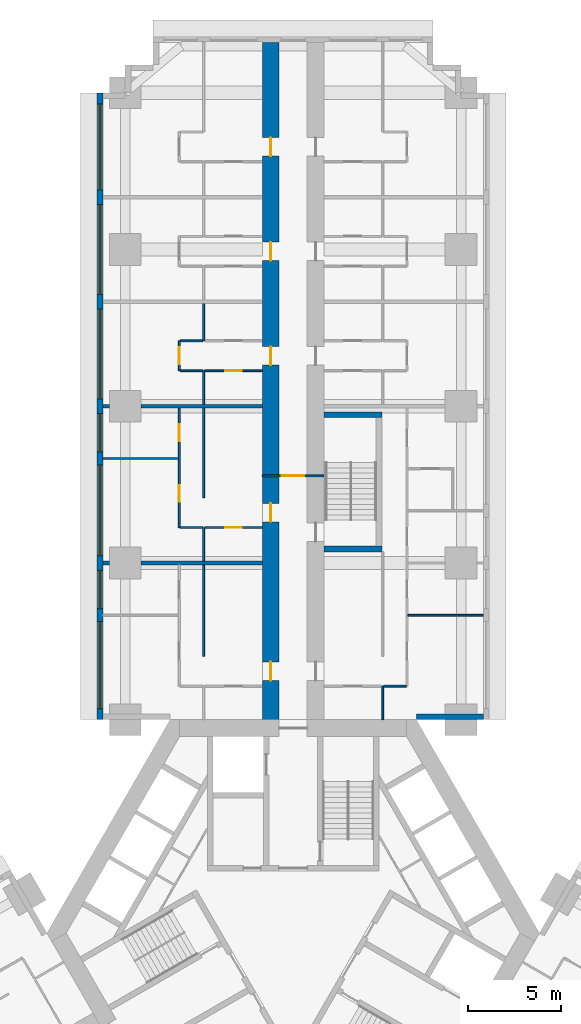
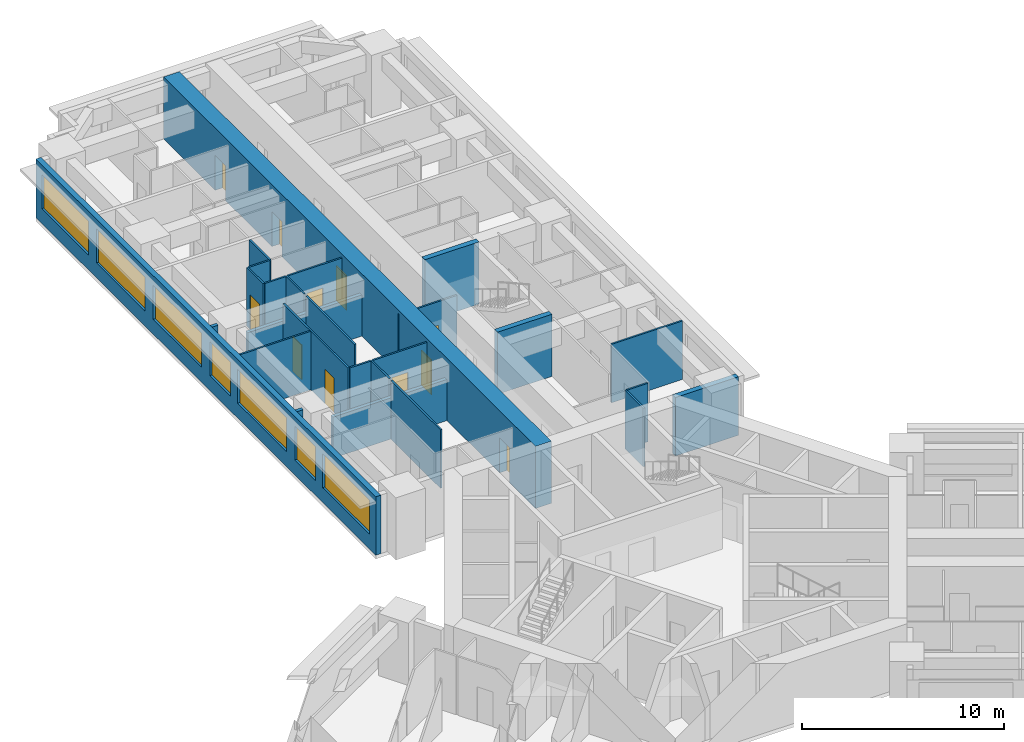
# One storey, part 9 of 16: 26 walls, 11 doors, 7 windows, 18 openings.
"""IFC4 building model written with IfcOpenShell, lengths in metres."""

from ifc_helpers import new_model, si_unit, direction, frame, frame_2d, origin, place, context, subcontext, project, spatial, rectangle, extrude, material, layer, layer_set, type_object, element, fill, save


model = new_model("IFC4")

# Units and contexts
model_context = context("Model", 3, precision=1e-05, world=origin(), true_north=direction((0.0, 1.0)))
body_context = subcontext(model_context, "Body", "Model", "MODEL_VIEW")
ifc_project = project(units=[si_unit("LENGTHUNIT", "METRE"), si_unit("AREAUNIT", "SQUARE_METRE"), si_unit("VOLUMEUNIT", "CUBIC_METRE"), si_unit("PLANEANGLEUNIT", "RADIAN"), si_unit("MASSUNIT", "GRAM", prefix="KILO")], contexts=[model_context])

# Site, building, storey
site_placement = place(None, origin())
site = spatial("IfcSite", under=ifc_project, at=site_placement, CompositionType="ELEMENT")
building_placement = place(site_placement, origin())
building = spatial("IfcBuilding", under=site, at=building_placement, Name="Impinga Residences", CompositionType="ELEMENT")
storey_placement = place(building_placement, frame((0.0, 0.0, 41.0)))
storey = spatial("IfcBuildingStorey", under=building, at=storey_placement, Name="L09", CompositionType="ELEMENT", Elevation=41.0)

# Wall, openings, doors
ifc_material_1 = material(Name="Concrete C70/85", Category="concrete")
ifc_layer_1 = layer(ifc_material_1, 0.89990234375)
ifc_layer_set_1 = layer_set([ifc_layer_1], Name="Concrete C70/85")
wall_type_1 = type_object("IfcWallType", Name="BW1 corridor buttress wall, L05 to L22 900", PredefinedType="SHEAR", material=ifc_layer_set_1)
wall_1_placement = place(storey_placement, frame((-1.199951171875, 10.9814453125, 0.0), z_axis=(0.0, 0.0, 1.0), x_axis=(0.0, 1.0, 0.0)))
wall_1 = element("IfcWall", 1, at=wall_1_placement, inside=storey, type_object=wall_type_1, Name="Corridor wall BW1 NC L09", PredefinedType="SHEAR", context=body_context, shape_type="SweptSolid", body=[
    extrude(rectangle(XDim=36.75, YDim=0.89990234375, at=frame_2d((18.375, 0.0))), origin(), (0.0, 0.0, 1.0), 3.75),
])
opening_1_placement = place(wall_1_placement, frame((2.550048828125, 0.0, 0.0)))
opening_1 = element("IfcOpeningElement", 2, at=opening_1_placement, cuts=wall_1, Name="Opening D1", PredefinedType="OPENING", context=body_context, shape_type="SweptSolid", body=[
    extrude(rectangle(XDim=1.0, YDim=2.10009765625, at=frame_2d((0.5, 1.050048828125))), frame((0.0, 0.4599609375, 0.0), z_axis=(0.0, -1.0, 0.0), x_axis=(1.0, 0.0, 0.0)), (0.0, 0.0, 1.0), 0.919921875),
])
opening_2_placement = place(wall_1_placement, frame((11.050048828125, 0.0, 0.0)))
opening_2 = element("IfcOpeningElement", 3, at=opening_2_placement, cuts=wall_1, Name="Opening D1", PredefinedType="OPENING", context=body_context, shape_type="SweptSolid", body=[
    extrude(rectangle(XDim=1.0, YDim=2.10009765625, at=frame_2d((0.5, 1.050048828125))), frame((0.0, 0.4599609375, 0.0), z_axis=(0.0, -1.0, 0.0), x_axis=(1.0, 0.0, 0.0)), (0.0, 0.0, 1.0), 0.919921875),
])
opening_3_placement = place(wall_1_placement, frame((19.449951171875, 0.0, 0.0)))
opening_3 = element("IfcOpeningElement", 4, at=opening_3_placement, cuts=wall_1, Name="Opening D1", PredefinedType="OPENING", context=body_context, shape_type="SweptSolid", body=[
    extrude(rectangle(XDim=1.0, YDim=2.10009765625, at=frame_2d((0.5, 1.050048828125))), frame((0.0, 0.4599609375, 0.0), z_axis=(0.0, -1.0, 0.0), x_axis=(1.0, 0.0, 0.0)), (0.0, 0.0, 1.0), 0.919921875),
])
opening_4_placement = place(wall_1_placement, frame((25.050048828125, 0.0, 0.0)))
opening_4 = element("IfcOpeningElement", 5, at=opening_4_placement, cuts=wall_1, Name="Opening D1", PredefinedType="OPENING", context=body_context, shape_type="SweptSolid", body=[
    extrude(rectangle(XDim=1.0, YDim=2.10009765625, at=frame_2d((0.5, 1.050048828125))), frame((0.0, 0.4599609375, 0.0), z_axis=(0.0, -1.0, 0.0), x_axis=(1.0, 0.0, 0.0)), (0.0, 0.0, 1.0), 0.919921875),
])
opening_5_placement = place(wall_1_placement, frame((30.64990234375, 0.0, 0.0)))
opening_5 = element("IfcOpeningElement", 6, at=opening_5_placement, cuts=wall_1, Name="Opening D1", PredefinedType="OPENING", context=body_context, shape_type="SweptSolid", body=[
    extrude(rectangle(XDim=1.0, YDim=2.10009765625, at=frame_2d((0.5, 1.050048828125))), frame((0.0, 0.4599609375, 0.0), z_axis=(0.0, -1.0, 0.0), x_axis=(1.0, 0.0, 0.0)), (0.0, 0.0, 1.0), 0.919921875),
])
ifc_material_2 = material(Name="Timber door set", Category="wood")
door_type_1 = type_object("IfcDoorType", Name="D1 apartment entrance door 1000x2100", OperationType="SINGLE_SWING_LEFT", PredefinedType="DOOR", material=ifc_material_2)
door_1_placement = place(opening_1_placement, origin())
door_1 = element("IfcDoor", 7, at=door_1_placement, inside=storey, type_object=door_type_1, Name="Apartment L09-NA1 entrance", OperationType="SINGLE_SWING_LEFT", OverallHeight=2.10009765625, OverallWidth=1.0, PredefinedType="DOOR", context=body_context, shape_type="SweptSolid", body=[
    extrude(rectangle(XDim=1.0, YDim=2.10009765625, at=frame_2d((0.5, 1.050048828125))), frame((0.0, 0.02490234375, 0.0), z_axis=(0.0, -1.0, 0.0), x_axis=(1.0, 0.0, 0.0)), (0.0, 0.0, 1.0), 0.050048828125),
])
fill(opening_1, door_1)
door_2_placement = place(opening_2_placement, origin())
door_2 = element("IfcDoor", 8, at=door_2_placement, inside=storey, type_object=door_type_1, Name="Apartment L09-NA2 entrance", OperationType="SINGLE_SWING_LEFT", OverallHeight=2.10009765625, OverallWidth=1.0, PredefinedType="DOOR", context=body_context, shape_type="SweptSolid", body=[
    extrude(rectangle(XDim=1.0, YDim=2.10009765625, at=frame_2d((0.5, 1.050048828125))), frame((0.0, 0.02490234375, 0.0), z_axis=(0.0, -1.0, 0.0), x_axis=(1.0, 0.0, 0.0)), (0.0, 0.0, 1.0), 0.050048828125),
])
fill(opening_2, door_2)
door_3_placement = place(opening_3_placement, origin())
door_3 = element("IfcDoor", 9, at=door_3_placement, inside=storey, type_object=door_type_1, Name="Apartment L09-NA3 entrance", OperationType="SINGLE_SWING_RIGHT", OverallHeight=2.10009765625, OverallWidth=1.0, PredefinedType="DOOR", context=body_context, shape_type="SweptSolid", body=[
    extrude(rectangle(XDim=1.0, YDim=2.10009765625, at=frame_2d((0.5, 1.050048828125))), frame((0.0, 0.02490234375, 0.0), z_axis=(0.0, -1.0, 0.0), x_axis=(1.0, 0.0, 0.0)), (0.0, 0.0, 1.0), 0.050048828125),
])
fill(opening_3, door_3)
door_4_placement = place(opening_4_placement, origin())
door_4 = element("IfcDoor", 10, at=door_4_placement, inside=storey, type_object=door_type_1, Name="Apartment L09-NA4 entrance", OperationType="SINGLE_SWING_RIGHT", OverallHeight=2.10009765625, OverallWidth=1.0, PredefinedType="DOOR", context=body_context, shape_type="SweptSolid", body=[
    extrude(rectangle(XDim=1.0, YDim=2.10009765625, at=frame_2d((0.5, 1.050048828125))), frame((0.0, 0.02490234375, 0.0), z_axis=(0.0, -1.0, 0.0), x_axis=(1.0, 0.0, 0.0)), (0.0, 0.0, 1.0), 0.050048828125),
])
fill(opening_4, door_4)
door_5_placement = place(opening_5_placement, origin())
door_5 = element("IfcDoor", 11, at=door_5_placement, inside=storey, type_object=door_type_1, Name="Apartment L09-NA5 entrance", OperationType="SINGLE_SWING_RIGHT", OverallHeight=2.10009765625, OverallWidth=1.0, PredefinedType="DOOR", context=body_context, shape_type="SweptSolid", body=[
    extrude(rectangle(XDim=1.0, YDim=2.10009765625, at=frame_2d((0.5, 1.050048828125))), frame((0.0, 0.02490234375, 0.0), z_axis=(0.0, -1.0, 0.0), x_axis=(1.0, 0.0, 0.0)), (0.0, 0.0, 1.0), 0.050048828125),
])
fill(opening_5, door_5)

# Wall, opening, door
ifc_material_3 = material(Name="Concrete blockwork", Category="masonry")
ifc_layer_2 = layer(ifc_material_3, 0.10009765625)
ifc_layer_set_2 = layer_set([ifc_layer_2], Name="CP1 core room partition, blockwork 100")
wall_type_2 = type_object("IfcWallType", Name="CP1 core room partition, blockwork 100", PredefinedType="PARTITIONING", material=ifc_layer_set_2)
wall_2_placement = place(storey_placement, frame((-1.64990234375, 24.5, 0.0), z_axis=(0.0, 0.0, 1.0), x_axis=(1.0, 0.0, 0.0)))
wall_2 = element("IfcWall", 12, at=wall_2_placement, inside=storey, type_object=wall_type_2, Name="Core room partition, blockwork L09:N:SCR", PredefinedType="PARTITIONING", context=body_context, shape_type="SweptSolid", body=[
    extrude(rectangle(XDim=3.2998046875, YDim=0.10009765625, at=frame_2d((1.64990234375, 0.0))), origin(), (0.0, 0.0, 1.0), 3.530029296875),
])
opening_6_placement = place(wall_2_placement, frame((1.050048828125, 0.0, 0.0)))
opening_6 = element("IfcOpeningElement", 13, at=opening_6_placement, cuts=wall_2, Name="Opening D3", PredefinedType="OPENING", context=body_context, shape_type="SweptSolid", body=[
    extrude(rectangle(XDim=1.199951171875, YDim=2.10009765625, at=frame_2d((0.60009765625, 1.050048828125))), frame((0.0, 0.06005859375, 0.0), z_axis=(0.0, -1.0, 0.0), x_axis=(1.0, 0.0, 0.0)), (0.0, 0.0, 1.0), 0.1201171875),
])
door_type_2 = type_object("IfcDoorType", Name="D3 room door, leaf and a half 1200x2100", OperationType="DOUBLE_SWING_LEFT", PredefinedType="DOOR", material=ifc_material_2)
door_6_placement = place(opening_6_placement, origin())
door_6 = element("IfcDoor", 14, at=door_6_placement, inside=storey, type_object=door_type_2, Name="Corridor smoke door N", OperationType="DOUBLE_SWING_LEFT", OverallHeight=2.10009765625, OverallWidth=1.199951171875, PredefinedType="DOOR", context=body_context, shape_type="SweptSolid", body=[
    extrude(rectangle(XDim=1.199951171875, YDim=2.10009765625, at=frame_2d((0.60009765625, 1.050048828125))), frame((0.0, 0.02490234375, 0.0), z_axis=(0.0, -1.0, 0.0), x_axis=(1.0, 0.0, 0.0)), (0.0, 0.0, 1.0), 0.050048828125),
])
fill(opening_6, door_6)

# Wall, openings, windows
ifc_material_4 = material(Name="Terracotta rainscreen on blockwork", Category="masonry")
ifc_layer_3 = layer(ifc_material_4, 0.300048828125)
ifc_layer_set_3 = layer_set([ifc_layer_3], Name="EW1 external wall, terracotta rainscreen on blockwork 300")
wall_type_3 = type_object("IfcWallType", Name="EW1 external wall, terracotta rainscreen on blockwork 300", PredefinedType="SOLIDWALL", material=ifc_layer_set_3)
wall_3_placement = place(storey_placement, frame((-10.35009765625, 11.431640625, 0.0), z_axis=(0.0, 0.0, 1.0), x_axis=(0.0, 1.0, 0.0)))
wall_3 = element("IfcWall", 15, at=wall_3_placement, inside=storey, type_object=wall_type_3, Name="External wall EW1 L09", PredefinedType="SOLIDWALL", context=body_context, shape_type="SweptSolid", body=[
    extrude(rectangle(XDim=33.599853515625, YDim=0.300048828125, at=frame_2d((16.7998046875, 0.0))), origin(), (0.0, 0.0, 1.0), 3.530029296875),
])
opening_7_placement = place(wall_3_placement, frame((0.60009765625, 0.0, 0.89990234375)))
opening_7 = element("IfcOpeningElement", 16, at=opening_7_placement, cuts=wall_3, Name="Opening W10", PredefinedType="OPENING", context=body_context, shape_type="SweptSolid", body=[
    extrude(rectangle(XDim=4.64990234375, YDim=2.050048828125, at=frame_2d((2.324951171875, 1.02490234375))), frame((0.0, 0.159912109375, 0.0), z_axis=(0.0, -1.0, 0.0), x_axis=(1.0, 0.0, 0.0)), (0.0, 0.0, 1.0), 0.320068359375),
])
opening_8_placement = place(wall_3_placement, frame((5.949951171875, 0.0, 0.89990234375)))
opening_8 = element("IfcOpeningElement", 17, at=opening_8_placement, cuts=wall_3, Name="Opening W14", PredefinedType="OPENING", context=body_context, shape_type="SweptSolid", body=[
    extrude(rectangle(XDim=2.050048828125, YDim=2.050048828125, at=frame_2d((1.02490234375, 1.02490234375))), frame((0.0, 0.159912109375, 0.0), z_axis=(0.0, -1.0, 0.0), x_axis=(1.0, 0.0, 0.0)), (0.0, 0.0, 1.0), 0.320068359375),
])
opening_9_placement = place(wall_3_placement, frame((8.800048828125, 0.0, 0.89990234375)))
opening_9 = element("IfcOpeningElement", 18, at=opening_9_placement, cuts=wall_3, Name="Opening W6", PredefinedType="OPENING", context=body_context, shape_type="SweptSolid", body=[
    extrude(rectangle(XDim=4.85009765625, YDim=2.050048828125, at=frame_2d((2.425048828125, 1.02490234375))), frame((0.0, 0.159912109375, 0.0), z_axis=(0.0, -1.0, 0.0), x_axis=(1.0, 0.0, 0.0)), (0.0, 0.0, 1.0), 0.320068359375),
])
opening_10_placement = place(wall_3_placement, frame((14.35009765625, 0.0, 0.89990234375)))
opening_10 = element("IfcOpeningElement", 19, at=opening_10_placement, cuts=wall_3, Name="Opening W14", PredefinedType="OPENING", context=body_context, shape_type="SweptSolid", body=[
    extrude(rectangle(XDim=2.050048828125, YDim=2.050048828125, at=frame_2d((1.02490234375, 1.02490234375))), frame((0.0, 0.159912109375, 0.0), z_axis=(0.0, -1.0, 0.0), x_axis=(1.0, 0.0, 0.0)), (0.0, 0.0, 1.0), 0.320068359375),
])
opening_11_placement = place(wall_3_placement, frame((17.199951171875, 0.0, 0.89990234375)))
opening_11 = element("IfcOpeningElement", 20, at=opening_11_placement, cuts=wall_3, Name="Opening W8", PredefinedType="OPENING", context=body_context, shape_type="SweptSolid", body=[
    extrude(rectangle(XDim=4.800048828125, YDim=2.050048828125, at=frame_2d((2.39990234375, 1.02490234375))), frame((0.0, 0.159912109375, 0.0), z_axis=(0.0, -1.0, 0.0), x_axis=(1.0, 0.0, 0.0)), (0.0, 0.0, 1.0), 0.320068359375),
])
opening_12_placement = place(wall_3_placement, frame((22.800048828125, 0.0, 0.89990234375)))
opening_12 = element("IfcOpeningElement", 21, at=opening_12_placement, cuts=wall_3, Name="Opening W8", PredefinedType="OPENING", context=body_context, shape_type="SweptSolid", body=[
    extrude(rectangle(XDim=4.800048828125, YDim=2.050048828125, at=frame_2d((2.39990234375, 1.02490234375))), frame((0.0, 0.159912109375, 0.0), z_axis=(0.0, -1.0, 0.0), x_axis=(1.0, 0.0, 0.0)), (0.0, 0.0, 1.0), 0.320068359375),
])
opening_13_placement = place(wall_3_placement, frame((28.39990234375, 0.0, 0.89990234375)))
opening_13 = element("IfcOpeningElement", 22, at=opening_13_placement, cuts=wall_3, Name="Opening W3", PredefinedType="OPENING", context=body_context, shape_type="SweptSolid", body=[
    extrude(rectangle(XDim=4.60009765625, YDim=2.050048828125, at=frame_2d((2.300048828125, 1.02490234375))), frame((0.0, 0.159912109375, 0.0), z_axis=(0.0, -1.0, 0.0), x_axis=(1.0, 0.0, 0.0)), (0.0, 0.0, 1.0), 0.320068359375),
])
ifc_material_5 = material(Name="Aluminium window, clear double glazing", Category="aluminium")
window_type_1 = type_object("IfcWindowType", Name="W10 ribbon window 4650x2050", PartitioningType="SINGLE_PANEL", PredefinedType="WINDOW", material=ifc_material_5)
window_1_placement = place(opening_7_placement, origin())
window_1 = element("IfcWindow", 23, at=window_1_placement, inside=storey, type_object=window_type_1, Name="Window L09", OverallHeight=2.050048828125, OverallWidth=4.64990234375, PartitioningType="SINGLE_PANEL", PredefinedType="WINDOW", context=body_context, shape_type="SweptSolid", body=[
    extrude(rectangle(XDim=4.64990234375, YDim=2.050048828125, at=frame_2d((2.324951171875, 1.02490234375))), frame((0.0, 0.030029296875, 0.0), z_axis=(0.0, -1.0, 0.0), x_axis=(1.0, 0.0, 0.0)), (0.0, 0.0, 1.0), 0.06005859375),
])
fill(opening_7, window_1)
window_type_2 = type_object("IfcWindowType", Name="W14 ribbon window 2050x2050", PartitioningType="SINGLE_PANEL", PredefinedType="WINDOW", material=ifc_material_5)
window_2_placement = place(opening_8_placement, origin())
window_2 = element("IfcWindow", 24, at=window_2_placement, inside=storey, type_object=window_type_2, Name="Window L09", OverallHeight=2.050048828125, OverallWidth=2.050048828125, PartitioningType="SINGLE_PANEL", PredefinedType="WINDOW", context=body_context, shape_type="SweptSolid", body=[
    extrude(rectangle(XDim=2.050048828125, YDim=2.050048828125, at=frame_2d((1.02490234375, 1.02490234375))), frame((0.0, 0.030029296875, 0.0), z_axis=(0.0, -1.0, 0.0), x_axis=(1.0, 0.0, 0.0)), (0.0, 0.0, 1.0), 0.06005859375),
])
fill(opening_8, window_2)
window_3_placement = place(opening_10_placement, origin())
window_3 = element("IfcWindow", 25, at=window_3_placement, inside=storey, type_object=window_type_2, Name="Window L09", OverallHeight=2.050048828125, OverallWidth=2.050048828125, PartitioningType="SINGLE_PANEL", PredefinedType="WINDOW", context=body_context, shape_type="SweptSolid", body=[
    extrude(rectangle(XDim=2.050048828125, YDim=2.050048828125, at=frame_2d((1.02490234375, 1.02490234375))), frame((0.0, 0.030029296875, 0.0), z_axis=(0.0, -1.0, 0.0), x_axis=(1.0, 0.0, 0.0)), (0.0, 0.0, 1.0), 0.06005859375),
])
fill(opening_10, window_3)
window_type_3 = type_object("IfcWindowType", Name="W3 ribbon window 4600x2050", PartitioningType="SINGLE_PANEL", PredefinedType="WINDOW", material=ifc_material_5)
window_4_placement = place(opening_13_placement, origin())
window_4 = element("IfcWindow", 26, at=window_4_placement, inside=storey, type_object=window_type_3, Name="Window L09", OverallHeight=2.050048828125, OverallWidth=4.60009765625, PartitioningType="SINGLE_PANEL", PredefinedType="WINDOW", context=body_context, shape_type="SweptSolid", body=[
    extrude(rectangle(XDim=4.60009765625, YDim=2.050048828125, at=frame_2d((2.300048828125, 1.02490234375))), frame((0.0, 0.030029296875, 0.0), z_axis=(0.0, -1.0, 0.0), x_axis=(1.0, 0.0, 0.0)), (0.0, 0.0, 1.0), 0.06005859375),
])
fill(opening_13, window_4)
window_type_4 = type_object("IfcWindowType", Name="W6 ribbon window 4850x2050", PartitioningType="SINGLE_PANEL", PredefinedType="WINDOW", material=ifc_material_5)
window_5_placement = place(opening_9_placement, origin())
window_5 = element("IfcWindow", 27, at=window_5_placement, inside=storey, type_object=window_type_4, Name="Window L09", OverallHeight=2.050048828125, OverallWidth=4.85009765625, PartitioningType="SINGLE_PANEL", PredefinedType="WINDOW", context=body_context, shape_type="SweptSolid", body=[
    extrude(rectangle(XDim=4.85009765625, YDim=2.050048828125, at=frame_2d((2.425048828125, 1.02490234375))), frame((0.0, 0.030029296875, 0.0), z_axis=(0.0, -1.0, 0.0), x_axis=(1.0, 0.0, 0.0)), (0.0, 0.0, 1.0), 0.06005859375),
])
fill(opening_9, window_5)
window_type_5 = type_object("IfcWindowType", Name="W8 ribbon window 4800x2050", PartitioningType="SINGLE_PANEL", PredefinedType="WINDOW", material=ifc_material_5)
window_6_placement = place(opening_11_placement, origin())
window_6 = element("IfcWindow", 28, at=window_6_placement, inside=storey, type_object=window_type_5, Name="Window L09", OverallHeight=2.050048828125, OverallWidth=4.800048828125, PartitioningType="SINGLE_PANEL", PredefinedType="WINDOW", context=body_context, shape_type="SweptSolid", body=[
    extrude(rectangle(XDim=4.800048828125, YDim=2.050048828125, at=frame_2d((2.39990234375, 1.02490234375))), frame((0.0, 0.030029296875, 0.0), z_axis=(0.0, -1.0, 0.0), x_axis=(1.0, 0.0, 0.0)), (0.0, 0.0, 1.0), 0.06005859375),
])
fill(opening_11, window_6)
window_7_placement = place(opening_12_placement, origin())
window_7 = element("IfcWindow", 29, at=window_7_placement, inside=storey, type_object=window_type_5, Name="Window L09", OverallHeight=2.050048828125, OverallWidth=4.800048828125, PartitioningType="SINGLE_PANEL", PredefinedType="WINDOW", context=body_context, shape_type="SweptSolid", body=[
    extrude(rectangle(XDim=4.800048828125, YDim=2.050048828125, at=frame_2d((2.39990234375, 1.02490234375))), frame((0.0, 0.030029296875, 0.0), z_axis=(0.0, -1.0, 0.0), x_axis=(1.0, 0.0, 0.0)), (0.0, 0.0, 1.0), 0.06005859375),
])
fill(opening_12, window_7)

# Walls
wall_4_placement = place(storey_placement, frame((10.199951171875, 11.58154296875, 0.0), z_axis=(0.0, 0.0, 1.0), x_axis=(-1.0, 0.0, 0.0)))
element("IfcWall", 30, at=wall_4_placement, inside=storey, type_object=wall_type_3, Name="External wall EW1 L09", PredefinedType="SOLIDWALL", context=body_context, shape_type="SweptSolid", body=[
    extrude(rectangle(XDim=3.599853515625, YDim=0.300048828125, at=frame_2d((1.7998046875, 0.0))), origin(), (0.0, 0.0, 1.0), 3.530029296875),
])
ifc_material_6 = material(Name="Gypsum board on steel studs", Category="steel")
ifc_layer_4 = layer(ifc_material_6, 0.10009765625)
ifc_layer_set_4 = layer_set([ifc_layer_4], Name="Gypsum board on steel studs")
wall_type_4 = type_object("IfcWallType", Name="IP1 partition 100", PredefinedType="PARTITIONING", material=ifc_layer_set_4)
wall_5_placement = place(storey_placement, frame((-4.800048828125, 14.83154296875, 0.0), z_axis=(0.0, 0.0, 1.0), x_axis=(0.0, 1.0, 0.0)))
element("IfcWall", 31, at=wall_5_placement, inside=storey, type_object=wall_type_4, Name="Partition L09-NA1:DIV1", PredefinedType="PARTITIONING", context=body_context, shape_type="SweptSolid", body=[
    extrude(rectangle(XDim=4.89990234375, YDim=0.10009765625, at=frame_2d((2.449951171875, 0.0))), origin(), (0.0, 0.0, 1.0), 3.530029296875),
])
wall_6_placement = place(storey_placement, frame((-4.800048828125, 19.931640625, 0.0), z_axis=(0.0, 0.0, 1.0), x_axis=(0.0, 1.0, 0.0)))
element("IfcWall", 32, at=wall_6_placement, inside=storey, type_object=wall_type_4, Name="Partition L09-NA2:DIV0", PredefinedType="PARTITIONING", context=body_context, shape_type="SweptSolid", body=[
    extrude(rectangle(XDim=1.7998046875, YDim=0.10009765625, at=frame_2d((0.89990234375, 0.0))), origin(), (0.0, 0.0, 1.0), 3.530029296875),
])
wall_7_placement = place(storey_placement, frame((-4.800048828125, 23.33154296875, 0.0), z_axis=(0.0, 0.0, 1.0), x_axis=(0.0, 1.0, 0.0)))
element("IfcWall", 33, at=wall_7_placement, inside=storey, type_object=wall_type_4, Name="Partition L09-NA2:DIV1", PredefinedType="PARTITIONING", context=body_context, shape_type="SweptSolid", body=[
    extrude(rectangle(XDim=4.800048828125, YDim=0.10009765625, at=frame_2d((2.39990234375, 0.0))), origin(), (0.0, 0.0, 1.0), 3.530029296875),
])

# Wall, openings, doors
wall_8_placement = place(storey_placement, frame((-6.10009765625, 21.7314453125, 0.0), z_axis=(0.0, 0.0, 1.0), x_axis=(0.0, 1.0, 0.0)))
wall_8 = element("IfcWall", 34, at=wall_8_placement, inside=storey, type_object=wall_type_4, Name="Partition L09-NA2:STRIP", PredefinedType="PARTITIONING", context=body_context, shape_type="SweptSolid", body=[
    extrude(rectangle(XDim=6.400146484375, YDim=0.10009765625, at=frame_2d((3.2001953125, 0.0))), origin(), (0.0, 0.0, 1.0), 3.530029296875),
])
opening_14_placement = place(wall_8_placement, frame((1.375, 0.0, 0.0)))
opening_14 = element("IfcOpeningElement", 35, at=opening_14_placement, cuts=wall_8, Name="Opening D2", PredefinedType="OPENING", context=body_context, shape_type="SweptSolid", body=[
    extrude(rectangle(XDim=0.89990234375, YDim=2.10009765625, at=frame_2d((0.449951171875, 1.050048828125))), frame((0.0, 0.06005859375, 0.0), z_axis=(0.0, -1.0, 0.0), x_axis=(1.0, 0.0, 0.0)), (0.0, 0.0, 1.0), 0.1201171875),
])
opening_15_placement = place(wall_8_placement, frame((4.625, 0.0, 0.0)))
opening_15 = element("IfcOpeningElement", 36, at=opening_15_placement, cuts=wall_8, Name="Opening D2", PredefinedType="OPENING", context=body_context, shape_type="SweptSolid", body=[
    extrude(rectangle(XDim=0.89990234375, YDim=2.10009765625, at=frame_2d((0.449951171875, 1.050048828125))), frame((0.0, 0.06005859375, 0.0), z_axis=(0.0, -1.0, 0.0), x_axis=(1.0, 0.0, 0.0)), (0.0, 0.0, 1.0), 0.1201171875),
])
door_type_3 = type_object("IfcDoorType", Name="D2 internal door 900x2100", OperationType="SINGLE_SWING_LEFT", PredefinedType="DOOR", material=ifc_material_2)
door_7_placement = place(opening_14_placement, origin())
door_7 = element("IfcDoor", 37, at=door_7_placement, inside=storey, type_object=door_type_3, Name="Apartment L09-NA2 room door", OperationType="SINGLE_SWING_LEFT", OverallHeight=2.10009765625, OverallWidth=0.89990234375, PredefinedType="DOOR", context=body_context, shape_type="SweptSolid", body=[
    extrude(rectangle(XDim=0.89990234375, YDim=2.10009765625, at=frame_2d((0.449951171875, 1.050048828125))), frame((0.0, 0.02490234375, 0.0), z_axis=(0.0, -1.0, 0.0), x_axis=(1.0, 0.0, 0.0)), (0.0, 0.0, 1.0), 0.050048828125),
])
fill(opening_14, door_7)
door_8_placement = place(opening_15_placement, origin())
door_8 = element("IfcDoor", 38, at=door_8_placement, inside=storey, type_object=door_type_3, Name="Apartment L09-NA2 room door", OperationType="SINGLE_SWING_RIGHT", OverallHeight=2.10009765625, OverallWidth=0.89990234375, PredefinedType="DOOR", context=body_context, shape_type="SweptSolid", body=[
    extrude(rectangle(XDim=0.89990234375, YDim=2.10009765625, at=frame_2d((0.449951171875, 1.050048828125))), frame((0.0, 0.02490234375, 0.0), z_axis=(0.0, -1.0, 0.0), x_axis=(1.0, 0.0, 0.0)), (0.0, 0.0, 1.0), 0.050048828125),
])
fill(opening_15, door_8)

# Wall
wall_9_placement = place(storey_placement, frame((-4.85009765625, 21.7314453125, 0.0), z_axis=(0.0, 0.0, 1.0), x_axis=(-1.0, 0.0, 0.0)))
element("IfcWall", 39, at=wall_9_placement, inside=storey, type_object=wall_type_4, Name="Partition L09-NA2:SE0", PredefinedType="PARTITIONING", context=body_context, shape_type="SweptSolid", body=[
    extrude(rectangle(XDim=1.199951171875, YDim=0.10009765625, at=frame_2d((0.60009765625, 0.0))), origin(), (0.0, 0.0, 1.0), 3.530029296875),
])

# Wall, opening, door
wall_10_placement = place(storey_placement, frame((-1.64990234375, 21.7314453125, 0.0), z_axis=(0.0, 0.0, 1.0), x_axis=(-1.0, 0.0, 0.0)))
wall_10 = element("IfcWall", 40, at=wall_10_placement, inside=storey, type_object=wall_type_4, Name="Partition L09-NA2:IB1", PredefinedType="PARTITIONING", context=body_context, shape_type="SweptSolid", body=[
    extrude(rectangle(XDim=3.10009765625, YDim=0.10009765625, at=frame_2d((1.550048828125, 0.0))), origin(), (0.0, 0.0, 1.0), 3.530029296875),
])
opening_16_placement = place(wall_10_placement, frame((1.10009765625, 0.0, 0.0)))
opening_16 = element("IfcOpeningElement", 41, at=opening_16_placement, cuts=wall_10, Name="Opening D2", PredefinedType="OPENING", context=body_context, shape_type="SweptSolid", body=[
    extrude(rectangle(XDim=0.89990234375, YDim=2.10009765625, at=frame_2d((0.449951171875, 1.050048828125))), frame((0.0, 0.06005859375, 0.0), z_axis=(0.0, -1.0, 0.0), x_axis=(1.0, 0.0, 0.0)), (0.0, 0.0, 1.0), 0.1201171875),
])
door_9_placement = place(opening_16_placement, origin())
door_9 = element("IfcDoor", 42, at=door_9_placement, inside=storey, type_object=door_type_3, Name="Apartment L09-NA2 bathroom door", OperationType="SINGLE_SWING_LEFT", OverallHeight=2.10009765625, OverallWidth=0.89990234375, PredefinedType="DOOR", context=body_context, shape_type="SweptSolid", body=[
    extrude(rectangle(XDim=0.89990234375, YDim=2.10009765625, at=frame_2d((0.449951171875, 1.050048828125))), frame((0.0, 0.02490234375, 0.0), z_axis=(0.0, -1.0, 0.0), x_axis=(1.0, 0.0, 0.0)), (0.0, 0.0, 1.0), 0.050048828125),
])
fill(opening_16, door_9)

# Walls
wall_11_placement = place(storey_placement, frame((-6.14990234375, 25.431640625, 0.0), z_axis=(0.0, 0.0, 1.0), x_axis=(-1.0, 0.0, 0.0)))
element("IfcWall", 43, at=wall_11_placement, inside=storey, type_object=wall_type_4, Name="Partition L09-NA2:OB1", PredefinedType="PARTITIONING", context=body_context, shape_type="SweptSolid", body=[
    extrude(rectangle(XDim=4.050048828125, YDim=0.10009765625, at=frame_2d((2.02490234375, 0.0))), origin(), (0.0, 0.0, 1.0), 3.530029296875),
])
wall_12_placement = place(storey_placement, frame((-4.800048828125, 28.33154296875, 0.0), z_axis=(0.0, 0.0, 1.0), x_axis=(0.0, 1.0, 0.0)))
element("IfcWall", 44, at=wall_12_placement, inside=storey, type_object=wall_type_4, Name="Partition L09-NA3:DIV0", PredefinedType="PARTITIONING", context=body_context, shape_type="SweptSolid", body=[
    extrude(rectangle(XDim=1.800048828125, YDim=0.10009765625, at=frame_2d((0.89990234375, 0.0))), origin(), (0.0, 0.0, 1.0), 3.530029296875),
])
wall_13_placement = place(storey_placement, frame((-4.800048828125, 31.7314453125, 0.0), z_axis=(0.0, 0.0, 1.0), x_axis=(0.0, 1.0, 0.0)))
element("IfcWall", 45, at=wall_13_placement, inside=storey, type_object=wall_type_4, Name="Partition L09-NA3:DIV1", PredefinedType="PARTITIONING", context=body_context, shape_type="SweptSolid", body=[
    extrude(rectangle(XDim=2.0, YDim=0.10009765625, at=frame_2d((1.0, 0.0))), origin(), (0.0, 0.0, 1.0), 3.530029296875),
])

# Wall, opening, door
wall_14_placement = place(storey_placement, frame((-6.10009765625, 30.131591796875, 0.0), z_axis=(0.0, 0.0, 1.0), x_axis=(0.0, 1.0, 0.0)))
wall_14 = element("IfcWall", 46, at=wall_14_placement, inside=storey, type_object=wall_type_4, Name="Partition L09-NA3:STRIP", PredefinedType="PARTITIONING", context=body_context, shape_type="SweptSolid", body=[
    extrude(rectangle(XDim=1.599853515625, YDim=0.10009765625, at=frame_2d((0.7998046875, 0.0))), origin(), (0.0, 0.0, 1.0), 3.530029296875),
])
opening_17_placement = place(wall_14_placement, frame((0.35009765625, 0.0, 0.0)))
opening_17 = element("IfcOpeningElement", 47, at=opening_17_placement, cuts=wall_14, Name="Opening D2", PredefinedType="OPENING", context=body_context, shape_type="SweptSolid", body=[
    extrude(rectangle(XDim=0.89990234375, YDim=2.10009765625, at=frame_2d((0.449951171875, 1.050048828125))), frame((0.0, 0.06005859375, 0.0), z_axis=(0.0, -1.0, 0.0), x_axis=(1.0, 0.0, 0.0)), (0.0, 0.0, 1.0), 0.1201171875),
])
door_10_placement = place(opening_17_placement, origin())
door_10 = element("IfcDoor", 48, at=door_10_placement, inside=storey, type_object=door_type_3, Name="Apartment L09-NA3 room door", OperationType="SINGLE_SWING_LEFT", OverallHeight=2.10009765625, OverallWidth=0.89990234375, PredefinedType="DOOR", context=body_context, shape_type="SweptSolid", body=[
    extrude(rectangle(XDim=0.89990234375, YDim=2.10009765625, at=frame_2d((0.449951171875, 1.050048828125))), frame((0.0, 0.02490234375, 0.0), z_axis=(0.0, -1.0, 0.0), x_axis=(1.0, 0.0, 0.0)), (0.0, 0.0, 1.0), 0.050048828125),
])
fill(opening_17, door_10)

# Walls
for number, where, z_axis, x_axis, name in (
    (49, (-4.85009765625, 30.131591796875, 0.0), (0.0, 0.0, 1.0), (-1.0, 0.0, 0.0), "Partition L09-NA3:SE0"),
    (50, (-4.85009765625, 31.7314453125, 0.0), (0.0, 0.0, 1.0), (-1.0, 0.0, 0.0), "Partition L09-NA3:SE1"),
):
    element("IfcWall", number, at=place(storey_placement, frame(where, z_axis=z_axis, x_axis=x_axis)), inside=storey, type_object=wall_type_4, Name=name, PredefinedType="PARTITIONING", context=body_context, shape_type="SweptSolid", body=[
        extrude(rectangle(XDim=1.199951171875, YDim=0.10009765625, at=frame_2d((0.60009765625, 0.0))), origin(), (0.0, 0.0, 1.0), 3.530029296875),
    ])

# Wall, opening, door
wall_15_placement = place(storey_placement, frame((-1.64990234375, 30.131591796875, 0.0), z_axis=(0.0, 0.0, 1.0), x_axis=(-1.0, 0.0, 0.0)))
wall_15 = element("IfcWall", 51, at=wall_15_placement, inside=storey, type_object=wall_type_4, Name="Partition L09-NA3:IB1", PredefinedType="PARTITIONING", context=body_context, shape_type="SweptSolid", body=[
    extrude(rectangle(XDim=3.10009765625, YDim=0.10009765625, at=frame_2d((1.550048828125, 0.0))), origin(), (0.0, 0.0, 1.0), 3.530029296875),
])
opening_18_placement = place(wall_15_placement, frame((1.10009765625, 0.0, 0.0)))
opening_18 = element("IfcOpeningElement", 52, at=opening_18_placement, cuts=wall_15, Name="Opening D2", PredefinedType="OPENING", context=body_context, shape_type="SweptSolid", body=[
    extrude(rectangle(XDim=0.89990234375, YDim=2.10009765625, at=frame_2d((0.449951171875, 1.050048828125))), frame((0.0, 0.06005859375, 0.0), z_axis=(0.0, -1.0, 0.0), x_axis=(1.0, 0.0, 0.0)), (0.0, 0.0, 1.0), 0.1201171875),
])
door_11_placement = place(opening_18_placement, origin())
door_11 = element("IfcDoor", 53, at=door_11_placement, inside=storey, type_object=door_type_3, Name="Apartment L09-NA3 bathroom door", OperationType="SINGLE_SWING_LEFT", OverallHeight=2.10009765625, OverallWidth=0.89990234375, PredefinedType="DOOR", context=body_context, shape_type="SweptSolid", body=[
    extrude(rectangle(XDim=0.89990234375, YDim=2.10009765625, at=frame_2d((0.449951171875, 1.050048828125))), frame((0.0, 0.02490234375, 0.0), z_axis=(0.0, -1.0, 0.0), x_axis=(1.0, 0.0, 0.0)), (0.0, 0.0, 1.0), 0.050048828125),
])
fill(opening_18, door_11)

# Walls
wall_16_placement = place(storey_placement, frame((4.800048828125, 11.431640625, 0.0), z_axis=(0.0, 0.0, 1.0), x_axis=(0.0, 1.0, 0.0)))
element("IfcWall", 54, at=wall_16_placement, inside=storey, type_object=wall_type_4, Name="Partition L09-NF1:DIV0", PredefinedType="PARTITIONING", context=body_context, shape_type="SweptSolid", body=[
    extrude(rectangle(XDim=1.7998046875, YDim=0.10009765625, at=frame_2d((0.89990234375, 0.0))), origin(), (0.0, 0.0, 1.0), 3.530029296875),
])
wall_17_placement = place(storey_placement, frame((4.85009765625, 13.2314453125, 0.0), z_axis=(0.0, 0.0, 1.0), x_axis=(1.0, 0.0, 0.0)))
element("IfcWall", 55, at=wall_17_placement, inside=storey, type_object=wall_type_4, Name="Partition L09-NF1:SE0", PredefinedType="PARTITIONING", context=body_context, shape_type="SweptSolid", body=[
    extrude(rectangle(XDim=1.199951171875, YDim=0.10009765625, at=frame_2d((0.60009765625, 0.0))), origin(), (0.0, 0.0, 1.0), 3.530029296875),
])
wall_18_placement = place(storey_placement, frame((6.14990234375, 17.031494140625, 0.0), z_axis=(0.0, 0.0, 1.0), x_axis=(1.0, 0.0, 0.0)))
element("IfcWall", 56, at=wall_18_placement, inside=storey, type_object=wall_type_4, Name="Partition L09-NF1:OB1", PredefinedType="PARTITIONING", context=body_context, shape_type="SweptSolid", body=[
    extrude(rectangle(XDim=4.050048828125, YDim=0.10009765625, at=frame_2d((2.02490234375, 0.0))), origin(), (0.0, 0.0, 1.0), 3.530029296875),
])
ifc_layer_5 = layer(ifc_material_3, 0.199951171875)
ifc_layer_set_5 = layer_set([ifc_layer_5], Name="PW1 party wall between apartments 200")
wall_type_5 = type_object("IfcWallType", Name="PW1 party wall between apartments 200", PredefinedType="SOLIDWALL", material=ifc_layer_set_5)
wall_19_placement = place(storey_placement, frame((-1.64990234375, 19.83154296875, 0.0), z_axis=(0.0, 0.0, 1.0), x_axis=(-1.0, 0.0, 0.0)))
element("IfcWall", 57, at=wall_19_placement, inside=storey, type_object=wall_type_5, Name="Party wall between apartments L09-NA1:PARTY", PredefinedType="SOLIDWALL", context=body_context, shape_type="SweptSolid", body=[
    extrude(rectangle(XDim=6.5, YDim=0.199951171875, at=frame_2d((3.25, 0.0))), origin(), (0.0, 0.0, 1.0), 2.47998046875),
])
wall_20_placement = place(storey_placement, frame((-9.85009765625, 19.83154296875, 0.0), z_axis=(0.0, 0.0, 1.0), x_axis=(-1.0, 0.0, 0.0)))
element("IfcWall", 58, at=wall_20_placement, inside=storey, type_object=wall_type_5, Name="Party wall between apartments L09-NA1:PARTYb", PredefinedType="SOLIDWALL", context=body_context, shape_type="SweptSolid", body=[
    extrude(rectangle(XDim=0.349853515625, YDim=0.199951171875, at=frame_2d((0.1748046875, 0.0))), origin(), (0.0, 0.0, 1.0), 3.530029296875),
])
wall_21_placement = place(storey_placement, frame((-1.64990234375, 28.2314453125, 0.0), z_axis=(0.0, 0.0, 1.0), x_axis=(-1.0, 0.0, 0.0)))
element("IfcWall", 59, at=wall_21_placement, inside=storey, type_object=wall_type_5, Name="Party wall between apartments L09-NA2:PARTY", PredefinedType="SOLIDWALL", context=body_context, shape_type="SweptSolid", body=[
    extrude(rectangle(XDim=6.5, YDim=0.199951171875, at=frame_2d((3.25, 0.0))), origin(), (0.0, 0.0, 1.0), 2.47998046875),
])
wall_22_placement = place(storey_placement, frame((-9.85009765625, 28.2314453125, 0.0), z_axis=(0.0, 0.0, 1.0), x_axis=(-1.0, 0.0, 0.0)))
element("IfcWall", 60, at=wall_22_placement, inside=storey, type_object=wall_type_5, Name="Party wall between apartments L09-NA2:PARTYb", PredefinedType="SOLIDWALL", context=body_context, shape_type="SweptSolid", body=[
    extrude(rectangle(XDim=0.349853515625, YDim=0.199951171875, at=frame_2d((0.1748046875, 0.0))), origin(), (0.0, 0.0, 1.0), 3.530029296875),
])
ifc_material_7 = material(Name="Concrete C60/75", Category="concrete")
ifc_layer_6 = layer(ifc_material_7, 0.300048828125)
ifc_layer_set_6 = layer_set([ifc_layer_6], Name="Concrete C60/75")
wall_type_6 = type_object("IfcWallType", Name="SE1 wing stair enclosure wall 300", PredefinedType="SOLIDWALL", material=ifc_layer_set_6)
for number, where, z_axis, x_axis, name in (
    (61, (1.64990234375, 20.58154296875, 0.0), (0.0, 0.0, 1.0), (1.0, 0.0, 0.0), "Stair enclosure wall SE1 N END0 L09"),
    (62, (1.64990234375, 27.781494140625, 0.0), (0.0, 0.0, 1.0), (1.0, 0.0, 0.0), "Stair enclosure wall SE1 N END1 L09"),
):
    element("IfcWall", number, at=place(storey_placement, frame(where, z_axis=z_axis, x_axis=x_axis)), inside=storey, type_object=wall_type_6, Name=name, PredefinedType="SOLIDWALL", context=body_context, shape_type="SweptSolid", body=[
        extrude(rectangle(XDim=3.10009765625, YDim=0.300048828125, at=frame_2d((1.550048828125, 0.0))), origin(), (0.0, 0.0, 1.0), 3.75),
    ])

save(model, "model.ifc")
